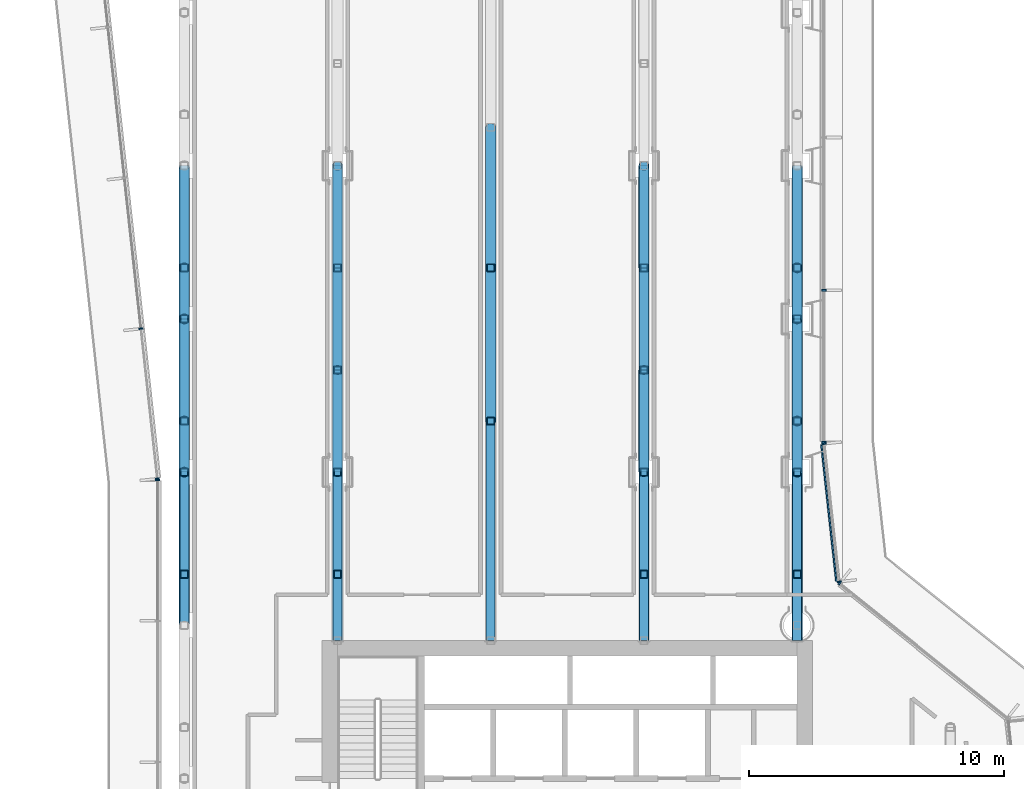
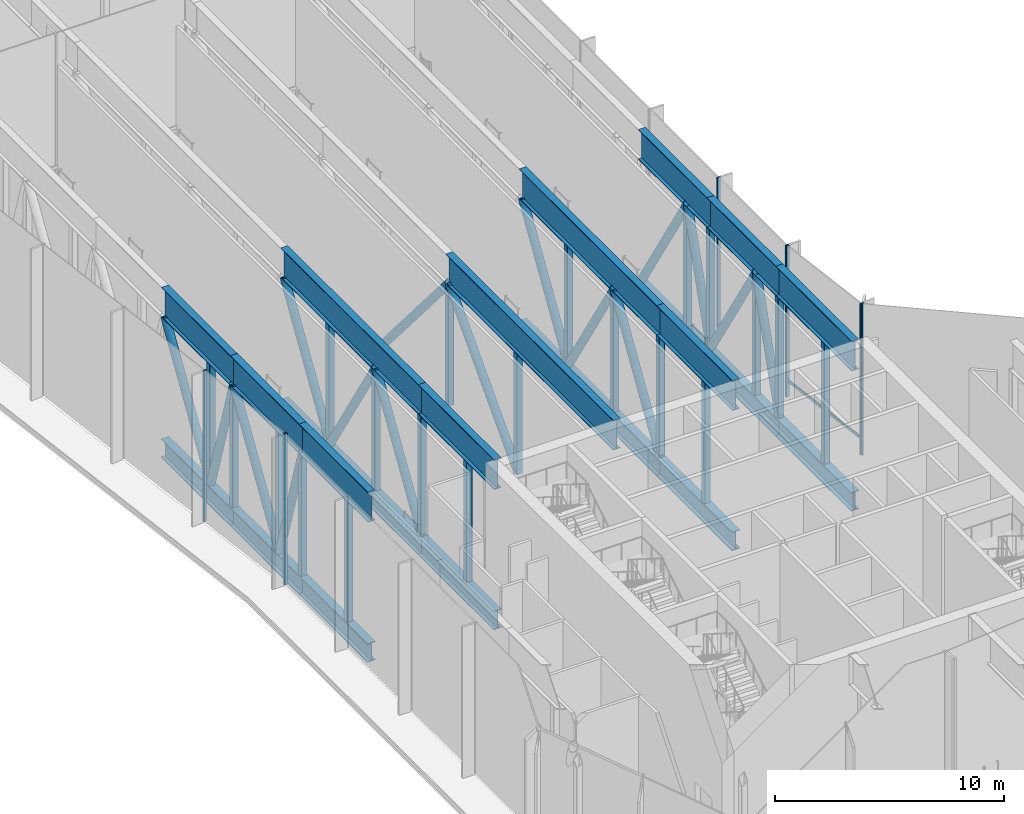
# One storey, part 5 of 22: 66 members, 5 elements without a shape of their own.
"""IFC4 building model written with IfcOpenShell, lengths in metres."""

from ifc_helpers import new_model, si_unit, direction, frame, origin, origin_2d, place, context, subcontext, project, spatial, rectangle, hollow_rectangle, hollow_circle, i_section, extrude, material, layer, layer_set, material_profile, profile_set, type_object, element, aggregate, save


model = new_model("IFC4")

# Units and contexts
model_context = context("Model", 3, precision=1e-05, world=origin(), true_north=direction((0.0, 1.0)))
body_context = subcontext(model_context, "Body", "Model", "MODEL_VIEW")
ifc_project = project(units=[si_unit("LENGTHUNIT", "METRE"), si_unit("AREAUNIT", "SQUARE_METRE"), si_unit("VOLUMEUNIT", "CUBIC_METRE"), si_unit("PLANEANGLEUNIT", "RADIAN"), si_unit("MASSUNIT", "GRAM", prefix="KILO")], contexts=[model_context])

# Site, building, storey
site_placement = place(None, origin())
site = spatial("IfcSite", under=ifc_project, at=site_placement, CompositionType="ELEMENT")
building_placement = place(site_placement, origin())
building = spatial("IfcBuilding", under=site, at=building_placement, Name="Welwitschia Terrace Campus", CompositionType="ELEMENT")
storey_placement = place(building_placement, frame((0.0, 0.0, 197.0)))
storey = spatial("IfcBuildingStorey", under=building, at=storey_placement, Name="L44", CompositionType="ELEMENT", Elevation=197.0)

# Curtain wall, member
ifc_material_1 = material(Name="Bronze anodised aluminium", Category="aluminium")
ifc_layer = layer(ifc_material_1, 0.159912109375)
ifc_layer_set = layer_set([ifc_layer], Name="Bronze anodised aluminium")
curtain_wall_type = type_object("IfcCurtainWallType", Name="Curtain wall CW3 commons 6000", PredefinedType="NOTDEFINED", material=ifc_layer_set)
curtain_wall_1_placement = place(storey_placement, origin())
curtain_wall_1 = element("IfcCurtainWall", 1, at=curtain_wall_1_placement, inside=storey, type_object=curtain_wall_type, Name="CW L44.2.0", PredefinedType="NOTDEFINED")
ifc_material_2 = material(Name="Bronze anodised aluminium", Category="aluminium")
ifc_material_profile_1 = material_profile(ifc_material_2, rectangle(XDim=0.159912109375, YDim=0.06005859375, at=origin_2d()))
ifc_profile_set_1 = profile_set([ifc_material_profile_1], Name="Bronze anodised aluminium")
member_type_1 = type_object("IfcMemberType", Name="Mullion 60x160", PredefinedType="MULLION", material=ifc_profile_set_1)
member_1_placement = place(storey_placement, frame((25.671630859375, 27.657958984375, 0.0), z_axis=(0.0, 0.0, 1.0), x_axis=(-0.625923472184, -0.779884483093, 0.0)))
member_1 = element("IfcMember", 2, at=member_1_placement, type_object=member_type_1, Name="Mullion L44.2.0.1", PredefinedType="MULLION", context=body_context, shape_type="SweptSolid", body=[
    extrude(rectangle(XDim=0.159912109375, YDim=0.06005859375, at=origin_2d()), origin(), (0.0, 0.0, 1.0), 8.050048828125),
])
aggregate(curtain_wall_1, [member_1])

# Curtain wall, members
curtain_wall_2_placement = place(storey_placement, origin())
curtain_wall_2 = element("IfcCurtainWall", 3, at=curtain_wall_2_placement, inside=storey, type_object=curtain_wall_type, Name="CW L44.3.0", PredefinedType="NOTDEFINED")
member_2_placement = place(storey_placement, frame((25.64501953125, 27.70654296875, 0.0), z_axis=(0.0, 0.0, 1.0), x_axis=(-0.994056338222, -0.108866874852, 0.0)))
member_2 = element("IfcMember", 4, at=member_2_placement, type_object=member_type_1, Name="Mullion L44.3.0.0", PredefinedType="MULLION", context=body_context, shape_type="SweptSolid", body=[
    extrude(rectangle(XDim=0.159912109375, YDim=0.06005859375, at=origin_2d()), origin(), (0.0, 0.0, 1.0), 8.050048828125),
])
member_3_placement = place(storey_placement, frame((25.05322265625, 33.109619140625, 0.0), z_axis=(0.0, 0.0, 1.0), x_axis=(-0.994056338222, -0.108866874852, 0.0)))
member_3 = element("IfcMember", 5, at=member_3_placement, type_object=member_type_1, Name="Mullion L44.3.0.1", PredefinedType="MULLION", context=body_context, shape_type="SweptSolid", body=[
    extrude(rectangle(XDim=0.159912109375, YDim=0.06005859375, at=origin_2d()), origin(), (0.0, 0.0, 1.0), 8.050048828125),
])

curtain_wall_3_placement = place(storey_placement, origin())
curtain_wall_3 = element("IfcCurtainWall", 6, at=curtain_wall_3_placement, inside=storey, type_object=curtain_wall_type, Name="CW L44.4.0", PredefinedType="NOTDEFINED")
member_4_placement = place(storey_placement, frame((25.050048828125, 33.16943359375, 0.0), z_axis=(0.0, 0.0, 1.0), x_axis=(-1.0, 0.0, 0.0)))
member_4 = element("IfcMember", 7, at=member_4_placement, type_object=member_type_1, Name="Mullion L44.4.0.0", PredefinedType="MULLION", context=body_context, shape_type="SweptSolid", body=[
    extrude(rectangle(XDim=0.159912109375, YDim=0.06005859375, at=origin_2d()), origin(), (0.0, 0.0, 1.0), 8.050048828125),
])
member_5_placement = place(storey_placement, frame((25.050048828125, 39.12158203125, 0.0), z_axis=(0.0, 0.0, 1.0), x_axis=(-1.0, 0.0, 0.0)))
member_5 = element("IfcMember", 8, at=member_5_placement, type_object=member_type_1, Name="Mullion L44.4.0.1", PredefinedType="MULLION", context=body_context, shape_type="SweptSolid", body=[
    extrude(rectangle(XDim=0.159912109375, YDim=0.06005859375, at=origin_2d()), origin(), (0.0, 0.0, 1.0), 8.050048828125),
])
aggregate(curtain_wall_3, [member_4, member_5])

curtain_wall_4_placement = place(storey_placement, origin())
curtain_wall_4 = element("IfcCurtainWall", 9, at=curtain_wall_4_placement, inside=storey, type_object=curtain_wall_type, Name="CW L44.8.0", PredefinedType="NOTDEFINED")
member_6_placement = place(storey_placement, frame((-1.696533203125, 37.6181640625, 0.0), z_axis=(0.0, 0.0, 1.0), x_axis=(0.994056338222, 0.108866874852, 0.0)))
member_6 = element("IfcMember", 10, at=member_6_placement, type_object=member_type_1, Name="Mullion L44.8.0.4", PredefinedType="MULLION", context=body_context, shape_type="SweptSolid", body=[
    extrude(rectangle(XDim=0.159912109375, YDim=0.06005859375, at=origin_2d()), origin(), (0.0, 0.0, 1.0), 8.050048828125),
])
member_7_placement = place(storey_placement, frame((-1.05322265625, 31.744384765625, 0.0), z_axis=(0.0, 0.0, 1.0), x_axis=(0.994056338222, 0.108866874852, 0.0)))
member_7 = element("IfcMember", 11, at=member_7_placement, type_object=member_type_1, Name="Mullion L44.8.0.5", PredefinedType="MULLION", context=body_context, shape_type="SweptSolid", body=[
    extrude(rectangle(XDim=0.159912109375, YDim=0.06005859375, at=origin_2d()), origin(), (0.0, 0.0, 1.0), 8.050048828125),
])
aggregate(curtain_wall_4, [member_6, member_7])

# Curtain wall, member
curtain_wall_5_placement = place(storey_placement, origin())
curtain_wall_5 = element("IfcCurtainWall", 12, at=curtain_wall_5_placement, inside=storey, type_object=curtain_wall_type, Name="CW L44.9.0", PredefinedType="NOTDEFINED")
member_8_placement = place(storey_placement, frame((-1.050048828125, 31.6845703125, 0.0), z_axis=(0.0, 0.0, 1.0), x_axis=(1.0, 0.0, 0.0)))
member_8 = element("IfcMember", 13, at=member_8_placement, type_object=member_type_1, Name="Mullion L44.9.0.0", PredefinedType="MULLION", context=body_context, shape_type="SweptSolid", body=[
    extrude(rectangle(XDim=0.159912109375, YDim=0.06005859375, at=origin_2d()), origin(), (0.0, 0.0, 1.0), 8.050048828125),
])
aggregate(curtain_wall_5, [member_8])

# Members
ifc_material_3 = material(Name="Steel S355", Category="steel")
ifc_material_profile_2 = material_profile(ifc_material_3, i_section(OverallWidth=0.39990234375, OverallDepth=1.0, WebThickness=0.02490234375, FlangeThickness=0.0400390625, at=origin_2d()))
ifc_profile_set_2 = profile_set([ifc_material_profile_2], Name="Steel S355")
member_type_2 = type_object("IfcMemberType", Name="Transfer truss C3 bottom chord WI 1000x400x25x40", PredefinedType="CHORD", material=ifc_profile_set_2)
for number, where, z_axis, x_axis, name in (
    (14, (0.0, 26.0, -0.5), (0.0, 1.0, 0.0), (-1.0, 0.0, 0.0), "Truss bottom chord"),
    (15, (0.0, 32.0, -0.5), (0.0, 1.0, 0.0), (-1.0, 0.0, 0.0), "Truss bottom chord"),
    (16, (0.0, 38.0, -0.5), (0.0, 1.0, 0.0), (-1.0, 0.0, 0.0), "Truss bottom chord"),
):
    element("IfcMember", number, at=place(storey_placement, frame(where, z_axis=z_axis, x_axis=x_axis)), inside=storey, type_object=member_type_2, Name=name, PredefinedType="CHORD", context=body_context, shape_type="SweptSolid", body=[
        extrude(i_section(OverallWidth=0.39990234375, OverallDepth=1.0, WebThickness=0.02490234375, FlangeThickness=0.0400390625, at=origin_2d()), origin(), (0.0, 0.0, 1.0), 6.0),
    ])
member_9_placement = place(storey_placement, frame((6.0, 25.39990234375, -0.5), z_axis=(0.0, 1.0, 0.0), x_axis=(-1.0, 0.0, 0.0)))
element("IfcMember", 17, at=member_9_placement, inside=storey, type_object=member_type_2, Name="Truss bottom chord", PredefinedType="CHORD", context=body_context, shape_type="SweptSolid", body=[
    extrude(i_section(OverallWidth=0.39990234375, OverallDepth=1.0, WebThickness=0.02490234375, FlangeThickness=0.0400390625, at=origin_2d()), origin(), (0.0, 0.0, 1.0), 6.60009765625),
])
member_10_placement = place(storey_placement, frame((6.0, 32.0, -0.5), z_axis=(0.0, 1.0, 0.0), x_axis=(-1.0, 0.0, 0.0)))
element("IfcMember", 18, at=member_10_placement, inside=storey, type_object=member_type_2, Name="Truss bottom chord", PredefinedType="CHORD", context=body_context, shape_type="SweptSolid", body=[
    extrude(i_section(OverallWidth=0.39990234375, OverallDepth=1.0, WebThickness=0.02490234375, FlangeThickness=0.0400390625, at=origin_2d()), origin(), (0.0, 0.0, 1.0), 12.0),
])
member_11_placement = place(storey_placement, frame((18.0, 25.39990234375, -0.5), z_axis=(0.0, 1.0, 0.0), x_axis=(-1.0, 0.0, 0.0)))
element("IfcMember", 19, at=member_11_placement, inside=storey, type_object=member_type_2, Name="Truss bottom chord", PredefinedType="CHORD", context=body_context, shape_type="SweptSolid", body=[
    extrude(i_section(OverallWidth=0.39990234375, OverallDepth=1.0, WebThickness=0.02490234375, FlangeThickness=0.0400390625, at=origin_2d()), origin(), (0.0, 0.0, 1.0), 6.60009765625),
])
member_12_placement = place(storey_placement, frame((18.0, 32.0, -0.5), z_axis=(0.0, 1.0, 0.0), x_axis=(-1.0, 0.0, 0.0)))
element("IfcMember", 20, at=member_12_placement, inside=storey, type_object=member_type_2, Name="Truss bottom chord", PredefinedType="CHORD", context=body_context, shape_type="SweptSolid", body=[
    extrude(i_section(OverallWidth=0.39990234375, OverallDepth=1.0, WebThickness=0.02490234375, FlangeThickness=0.0400390625, at=origin_2d()), origin(), (0.0, 0.0, 1.0), 12.0),
])
member_13_placement = place(storey_placement, frame((24.0, 25.39990234375, -0.5), z_axis=(0.0, 1.0, 0.0), x_axis=(-1.0, 0.0, 0.0)))
element("IfcMember", 21, at=member_13_placement, inside=storey, type_object=member_type_2, Name="Truss bottom chord", PredefinedType="CHORD", context=body_context, shape_type="SweptSolid", body=[
    extrude(i_section(OverallWidth=0.39990234375, OverallDepth=1.0, WebThickness=0.02490234375, FlangeThickness=0.0400390625, at=origin_2d()), origin(), (0.0, 0.0, 1.0), 6.60009765625),
])
for number, where, z_axis, x_axis, name in (
    (22, (24.0, 32.0, -0.5), (0.0, 1.0, 0.0), (-1.0, 0.0, 0.0), "Truss bottom chord"),
    (23, (24.0, 38.0, -0.5), (0.0, 1.0, 0.0), (-1.0, 0.0, 0.0), "Truss bottom chord"),
):
    element("IfcMember", number, at=place(storey_placement, frame(where, z_axis=z_axis, x_axis=x_axis)), inside=storey, type_object=member_type_2, Name=name, PredefinedType="CHORD", context=body_context, shape_type="SweptSolid", body=[
        extrude(i_section(OverallWidth=0.39990234375, OverallDepth=1.0, WebThickness=0.02490234375, FlangeThickness=0.0400390625, at=origin_2d()), origin(), (0.0, 0.0, 1.0), 6.0),
    ])
ifc_material_4 = material(Name="Steel S355", Category="steel")
ifc_material_profile_3 = material_profile(ifc_material_4, hollow_circle(Radius=0.203125, WallThickness=0.01611328125, at=origin_2d()))
ifc_profile_set_3 = profile_set([ifc_material_profile_3], Name="Steel S355")
member_type_3 = type_object("IfcMemberType", Name="Transfer truss C3 diagonal CHS 406.4x16", PredefinedType="BRACE", material=ifc_profile_set_3)
member_14_placement = place(storey_placement, frame((0.0, 34.0, 0.0), z_axis=(0.0, -0.296168365803, 0.955135749042), x_axis=(1.0, 0.0, 0.0)))
element("IfcMember", 24, at=member_14_placement, inside=storey, type_object=member_type_3, Name="Truss diagonal", PredefinedType="BRACE", context=body_context, shape_type="SweptSolid", body=[
    extrude(hollow_circle(Radius=0.203125, WallThickness=0.01611328125, at=origin_2d()), origin(), (0.0, 0.0, 1.0), 6.7529296875),
])
member_15_placement = place(storey_placement, frame((0.0, 34.0, 0.0), z_axis=(0.0, 0.527037721004, 0.849841891553), x_axis=(-1.0, 0.0, 0.0)))
element("IfcMember", 25, at=member_15_placement, inside=storey, type_object=member_type_3, Name="Truss diagonal", PredefinedType="BRACE", context=body_context, shape_type="SweptSolid", body=[
    extrude(hollow_circle(Radius=0.203125, WallThickness=0.01611328125, at=origin_2d()), origin(), (0.0, 0.0, 1.0), 7.589599609375),
])
member_16_placement = place(storey_placement, frame((0.0, 40.0, 0.0), z_axis=(0.0, -0.296168365803, 0.955135749042), x_axis=(1.0, 0.0, 0.0)))
element("IfcMember", 26, at=member_16_placement, inside=storey, type_object=member_type_3, Name="Truss diagonal", PredefinedType="BRACE", context=body_context, shape_type="SweptSolid", body=[
    extrude(hollow_circle(Radius=0.203125, WallThickness=0.01611328125, at=origin_2d()), origin(), (0.0, 0.0, 1.0), 6.7529296875),
])
for number, where, z_axis, x_axis, name in (
    (27, (0.0, 40.0, 0.0), (0.0, 0.527037721004, 0.849841891553), (-1.0, 0.0, 0.0), "Truss diagonal"),
    (28, (6.0, 32.0, 0.0), (0.0, 0.527037721004, 0.849841891553), (-1.0, 0.0, 0.0), "Truss diagonal"),
    (29, (6.0, 40.0, 0.0), (0.0, -0.527037721004, 0.849841891553), (1.0, 0.0, 0.0), "Truss diagonal"),
    (30, (6.0, 40.0, 0.0), (0.0, 0.527037721004, 0.849841891553), (-1.0, 0.0, 0.0), "Truss diagonal"),
):
    element("IfcMember", number, at=place(storey_placement, frame(where, z_axis=z_axis, x_axis=x_axis)), inside=storey, type_object=member_type_3, Name=name, PredefinedType="BRACE", context=body_context, shape_type="SweptSolid", body=[
        extrude(hollow_circle(Radius=0.203125, WallThickness=0.01611328125, at=origin_2d()), origin(), (0.0, 0.0, 1.0), 7.589599609375),
    ])
member_17_placement = place(storey_placement, frame((12.0, 34.0, 0.0), z_axis=(0.0, 0.681106706671, 0.732184166811), x_axis=(-1.0, 0.0, 0.0)))
element("IfcMember", 31, at=member_17_placement, inside=storey, type_object=member_type_3, Name="Truss diagonal", PredefinedType="BRACE", context=body_context, shape_type="SweptSolid", body=[
    extrude(hollow_circle(Radius=0.203125, WallThickness=0.01611328125, at=origin_2d()), origin(), (0.0, 0.0, 1.0), 8.80908203125),
])
member_18_placement = place(storey_placement, frame((12.0, 45.5, 0.0), z_axis=(0.0, -0.648849017571, 0.760917178409), x_axis=(1.0, 0.0, 0.0)))
element("IfcMember", 32, at=member_18_placement, inside=storey, type_object=member_type_3, Name="Truss diagonal", PredefinedType="BRACE", context=body_context, shape_type="SweptSolid", body=[
    extrude(hollow_circle(Radius=0.203125, WallThickness=0.01611328125, at=origin_2d()), origin(), (0.0, 0.0, 1.0), 8.4765625),
])
for number, where, z_axis, x_axis, name in (
    (33, (18.0, 32.0, 0.0), (0.0, 0.527037721004, 0.849841891553), (-1.0, 0.0, 0.0), "Truss diagonal"),
    (34, (18.0, 40.0, 0.0), (0.0, -0.527037721004, 0.849841891553), (1.0, 0.0, 0.0), "Truss diagonal"),
    (35, (18.0, 40.0, 0.0), (0.0, 0.527037721004, 0.849841891553), (-1.0, 0.0, 0.0), "Truss diagonal"),
):
    element("IfcMember", number, at=place(storey_placement, frame(where, z_axis=z_axis, x_axis=x_axis)), inside=storey, type_object=member_type_3, Name=name, PredefinedType="BRACE", context=body_context, shape_type="SweptSolid", body=[
        extrude(hollow_circle(Radius=0.203125, WallThickness=0.01611328125, at=origin_2d()), origin(), (0.0, 0.0, 1.0), 7.589599609375),
    ])
member_19_placement = place(storey_placement, frame((24.0, 32.0, 0.0), z_axis=(0.0, 0.296168365803, 0.955135749042), x_axis=(-1.0, 0.0, 0.0)))
element("IfcMember", 36, at=member_19_placement, inside=storey, type_object=member_type_3, Name="Truss diagonal", PredefinedType="BRACE", context=body_context, shape_type="SweptSolid", body=[
    extrude(hollow_circle(Radius=0.203125, WallThickness=0.01611328125, at=origin_2d()), origin(), (0.0, 0.0, 1.0), 6.7529296875),
])
member_20_placement = place(storey_placement, frame((24.0, 38.0, 0.0), z_axis=(0.0, -0.527037721004, 0.849841891553), x_axis=(1.0, 0.0, 0.0)))
element("IfcMember", 37, at=member_20_placement, inside=storey, type_object=member_type_3, Name="Truss diagonal", PredefinedType="BRACE", context=body_context, shape_type="SweptSolid", body=[
    extrude(hollow_circle(Radius=0.203125, WallThickness=0.01611328125, at=origin_2d()), origin(), (0.0, 0.0, 1.0), 7.589599609375),
])
member_21_placement = place(storey_placement, frame((24.0, 38.0, 0.0), z_axis=(0.0, 0.296168365803, 0.955135749042), x_axis=(-1.0, 0.0, 0.0)))
element("IfcMember", 38, at=member_21_placement, inside=storey, type_object=member_type_3, Name="Truss diagonal", PredefinedType="BRACE", context=body_context, shape_type="SweptSolid", body=[
    extrude(hollow_circle(Radius=0.203125, WallThickness=0.01611328125, at=origin_2d()), origin(), (0.0, 0.0, 1.0), 6.7529296875),
])
member_22_placement = place(storey_placement, frame((24.0, 44.0, 0.0), z_axis=(0.0, -0.527037721004, 0.849841891553), x_axis=(1.0, 0.0, 0.0)))
element("IfcMember", 39, at=member_22_placement, inside=storey, type_object=member_type_3, Name="Truss diagonal", PredefinedType="BRACE", context=body_context, shape_type="SweptSolid", body=[
    extrude(hollow_circle(Radius=0.203125, WallThickness=0.01611328125, at=origin_2d()), origin(), (0.0, 0.0, 1.0), 7.589599609375),
])
ifc_material_5 = material(Name="Steel S355", Category="steel")
ifc_material_profile_4 = material_profile(ifc_material_5, hollow_rectangle(XDim=0.300048828125, YDim=0.300048828125, WallThickness=0.01611328125, InnerFilletRadius=0.01611328125, OuterFilletRadius=0.02392578125, at=origin_2d()))
ifc_profile_set_4 = profile_set([ifc_material_profile_4], Name="Steel S355")
member_type_4 = type_object("IfcMemberType", Name="Transfer truss C3 post SHS 300x300x16", PredefinedType="POST", material=ifc_profile_set_4)
for number, where, z_axis, x_axis, name in (
    (40, (0.0, 28.0, 0.0), (0.0, 0.0, 1.0), (1.0, 0.0, 0.0), "Truss post"),
    (41, (0.0, 32.0, 0.0), (0.0, 0.0, 1.0), (1.0, 0.0, 0.0), "Truss post"),
    (42, (0.0, 34.0, 0.0), (0.0, 0.0, 1.0), (1.0, 0.0, 0.0), "Truss post"),
    (43, (0.0, 38.0, 0.0), (0.0, 0.0, 1.0), (1.0, 0.0, 0.0), "Truss post"),
    (44, (0.0, 40.0, 0.0), (0.0, 0.0, 1.0), (1.0, 0.0, 0.0), "Truss post"),
    (45, (6.0, 28.0, 0.0), (0.0, 0.0, 1.0), (1.0, 0.0, 0.0), "Truss post"),
    (46, (6.0, 32.0, 0.0), (0.0, 0.0, 1.0), (1.0, 0.0, 0.0), "Truss post"),
    (47, (6.0, 36.0, 0.0), (0.0, 0.0, 1.0), (1.0, 0.0, 0.0), "Truss post"),
    (48, (6.0, 40.0, 0.0), (0.0, 0.0, 1.0), (1.0, 0.0, 0.0), "Truss post"),
    (49, (12.0, 34.0, 0.0), (0.0, 0.0, 1.0), (1.0, 0.0, 0.0), "Truss post"),
    (50, (12.0, 40.0, 0.0), (0.0, 0.0, 1.0), (1.0, 0.0, 0.0), "Truss post"),
    (51, (18.0, 28.0, 0.0), (0.0, 0.0, 1.0), (1.0, 0.0, 0.0), "Truss post"),
    (52, (18.0, 32.0, 0.0), (0.0, 0.0, 1.0), (1.0, 0.0, 0.0), "Truss post"),
    (53, (18.0, 36.0, 0.0), (0.0, 0.0, 1.0), (1.0, 0.0, 0.0), "Truss post"),
    (54, (18.0, 40.0, 0.0), (0.0, 0.0, 1.0), (1.0, 0.0, 0.0), "Truss post"),
    (55, (24.0, 28.0, 0.0), (0.0, 0.0, 1.0), (1.0, 0.0, 0.0), "Truss post"),
    (56, (24.0, 32.0, 0.0), (0.0, 0.0, 1.0), (1.0, 0.0, 0.0), "Truss post"),
    (57, (24.0, 34.0, 0.0), (0.0, 0.0, 1.0), (1.0, 0.0, 0.0), "Truss post"),
    (58, (24.0, 38.0, 0.0), (0.0, 0.0, 1.0), (1.0, 0.0, 0.0), "Truss post"),
    (59, (24.0, 40.0, 0.0), (0.0, 0.0, 1.0), (1.0, 0.0, 0.0), "Truss post"),
):
    element("IfcMember", number, at=place(storey_placement, frame(where, z_axis=z_axis, x_axis=x_axis)), inside=storey, type_object=member_type_4, Name=name, PredefinedType="POST", context=body_context, shape_type="SweptSolid", body=[
        extrude(hollow_rectangle(XDim=0.300048828125, YDim=0.300048828125, WallThickness=0.01611328125, InnerFilletRadius=0.01611328125, OuterFilletRadius=0.02392578125, at=origin_2d()), origin(), (0.0, 0.0, 1.0), 6.449951171875),
    ])
ifc_material_6 = material(Name="Steel S355", Category="steel")
ifc_material_profile_5 = material_profile(ifc_material_6, i_section(OverallWidth=0.35009765625, OverallDepth=1.60009765625, WebThickness=0.02490234375, FlangeThickness=0.0400390625, at=origin_2d()))
ifc_profile_set_5 = profile_set([ifc_material_profile_5], Name="Steel S355")
member_type_5 = type_object("IfcMemberType", Name="Transfer truss C3 top chord WI 1600x350x25x40", PredefinedType="CHORD", material=ifc_profile_set_5)
for number, where, z_axis, x_axis, name in (
    (60, (0.0, 26.0, 7.25), (0.0, 1.0, 0.0), (-1.0, 0.0, 0.0), "Truss top chord"),
    (61, (0.0, 32.0, 7.25), (0.0, 1.0, 0.0), (-1.0, 0.0, 0.0), "Truss top chord"),
    (62, (0.0, 38.0, 7.25), (0.0, 1.0, 0.0), (-1.0, 0.0, 0.0), "Truss top chord"),
):
    element("IfcMember", number, at=place(storey_placement, frame(where, z_axis=z_axis, x_axis=x_axis)), inside=storey, type_object=member_type_5, Name=name, PredefinedType="CHORD", context=body_context, shape_type="SweptSolid", body=[
        extrude(i_section(OverallWidth=0.35009765625, OverallDepth=1.60009765625, WebThickness=0.02490234375, FlangeThickness=0.0400390625, at=origin_2d()), origin(), (0.0, 0.0, 1.0), 6.0),
    ])
member_23_placement = place(storey_placement, frame((6.0, 25.39990234375, 7.25), z_axis=(0.0, 1.0, 0.0), x_axis=(-1.0, 0.0, 0.0)))
element("IfcMember", 63, at=member_23_placement, inside=storey, type_object=member_type_5, Name="Truss top chord", PredefinedType="CHORD", context=body_context, shape_type="SweptSolid", body=[
    extrude(i_section(OverallWidth=0.35009765625, OverallDepth=1.60009765625, WebThickness=0.02490234375, FlangeThickness=0.0400390625, at=origin_2d()), origin(), (0.0, 0.0, 1.0), 6.60009765625),
])
member_24_placement = place(storey_placement, frame((6.0, 32.0, 7.25), z_axis=(0.0, 1.0, 0.0), x_axis=(-1.0, 0.0, 0.0)))
element("IfcMember", 64, at=member_24_placement, inside=storey, type_object=member_type_5, Name="Truss top chord", PredefinedType="CHORD", context=body_context, shape_type="SweptSolid", body=[
    extrude(i_section(OverallWidth=0.35009765625, OverallDepth=1.60009765625, WebThickness=0.02490234375, FlangeThickness=0.0400390625, at=origin_2d()), origin(), (0.0, 0.0, 1.0), 12.0),
])
member_25_placement = place(storey_placement, frame((12.0, 25.39990234375, 7.25), z_axis=(0.0, 1.0, 0.0), x_axis=(-1.0, 0.0, 0.0)))
element("IfcMember", 65, at=member_25_placement, inside=storey, type_object=member_type_5, Name="Truss top chord", PredefinedType="CHORD", context=body_context, shape_type="SweptSolid", body=[
    extrude(i_section(OverallWidth=0.35009765625, OverallDepth=1.60009765625, WebThickness=0.02490234375, FlangeThickness=0.0400390625, at=origin_2d()), origin(), (0.0, 0.0, 1.0), 14.60009765625),
])
member_26_placement = place(storey_placement, frame((18.0, 25.39990234375, 7.25), z_axis=(0.0, 1.0, 0.0), x_axis=(-1.0, 0.0, 0.0)))
element("IfcMember", 66, at=member_26_placement, inside=storey, type_object=member_type_5, Name="Truss top chord", PredefinedType="CHORD", context=body_context, shape_type="SweptSolid", body=[
    extrude(i_section(OverallWidth=0.35009765625, OverallDepth=1.60009765625, WebThickness=0.02490234375, FlangeThickness=0.0400390625, at=origin_2d()), origin(), (0.0, 0.0, 1.0), 6.60009765625),
])
member_27_placement = place(storey_placement, frame((18.0, 32.0, 7.25), z_axis=(0.0, 1.0, 0.0), x_axis=(-1.0, 0.0, 0.0)))
element("IfcMember", 67, at=member_27_placement, inside=storey, type_object=member_type_5, Name="Truss top chord", PredefinedType="CHORD", context=body_context, shape_type="SweptSolid", body=[
    extrude(i_section(OverallWidth=0.35009765625, OverallDepth=1.60009765625, WebThickness=0.02490234375, FlangeThickness=0.0400390625, at=origin_2d()), origin(), (0.0, 0.0, 1.0), 12.0),
])
member_28_placement = place(storey_placement, frame((24.0, 25.39990234375, 7.25), z_axis=(0.0, 1.0, 0.0), x_axis=(-1.0, 0.0, 0.0)))
element("IfcMember", 68, at=member_28_placement, inside=storey, type_object=member_type_5, Name="Truss top chord", PredefinedType="CHORD", context=body_context, shape_type="SweptSolid", body=[
    extrude(i_section(OverallWidth=0.35009765625, OverallDepth=1.60009765625, WebThickness=0.02490234375, FlangeThickness=0.0400390625, at=origin_2d()), origin(), (0.0, 0.0, 1.0), 6.60009765625),
])
for number, where, z_axis, x_axis, name in (
    (69, (24.0, 32.0, 7.25), (0.0, 1.0, 0.0), (-1.0, 0.0, 0.0), "Truss top chord"),
    (70, (24.0, 38.0, 7.25), (0.0, 1.0, 0.0), (-1.0, 0.0, 0.0), "Truss top chord"),
):
    element("IfcMember", number, at=place(storey_placement, frame(where, z_axis=z_axis, x_axis=x_axis)), inside=storey, type_object=member_type_5, Name=name, PredefinedType="CHORD", context=body_context, shape_type="SweptSolid", body=[
        extrude(i_section(OverallWidth=0.35009765625, OverallDepth=1.60009765625, WebThickness=0.02490234375, FlangeThickness=0.0400390625, at=origin_2d()), origin(), (0.0, 0.0, 1.0), 6.0),
    ])

# Member
ifc_material_7 = material(Name="Bronze anodised aluminium", Category="aluminium")
ifc_material_profile_6 = material_profile(ifc_material_7, rectangle(XDim=0.06005859375, YDim=0.14990234375, at=origin_2d()))
ifc_profile_set_6 = profile_set([ifc_material_profile_6], Name="Bronze anodised aluminium")
member_type_6 = type_object("IfcMemberType", Name="Transom 60x150", PredefinedType="USERDEFINED", material=ifc_profile_set_6)
member_29_placement = place(storey_placement, frame((25.532470703125, 27.724365234375, 1.0), z_axis=(-0.108866141329, 0.994056418556, 0.0), x_axis=(-0.994056418556, -0.108866141329, 0.0)))
member_29 = element("IfcMember", 71, at=member_29_placement, type_object=member_type_6, Name="Transom L44.3.0", ObjectType="TRANSOM", PredefinedType="USERDEFINED", context=body_context, shape_type="SweptSolid", body=[
    extrude(rectangle(XDim=0.06005859375, YDim=0.14990234375, at=origin_2d()), origin(), (0.0, 0.0, 1.0), 5.37548828125),
])

aggregate(curtain_wall_2, [member_2, member_3, member_29])

save(model, "model.ifc")
